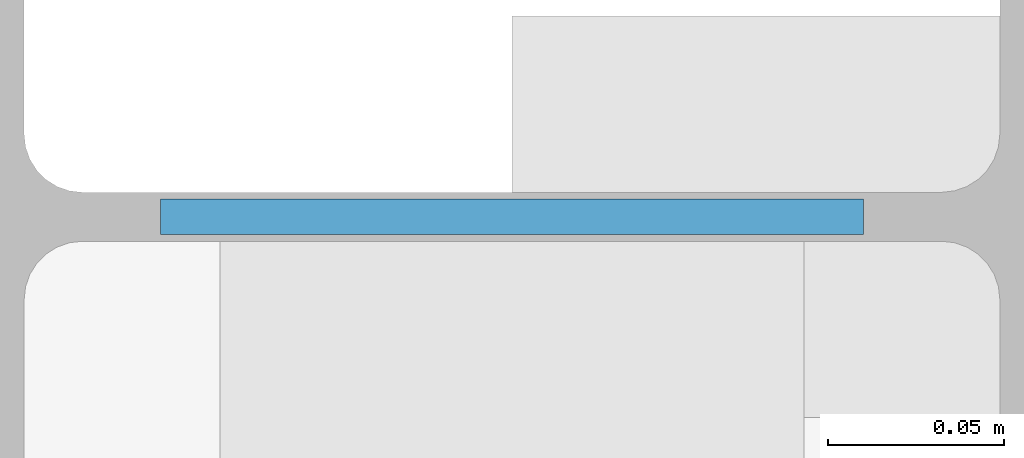
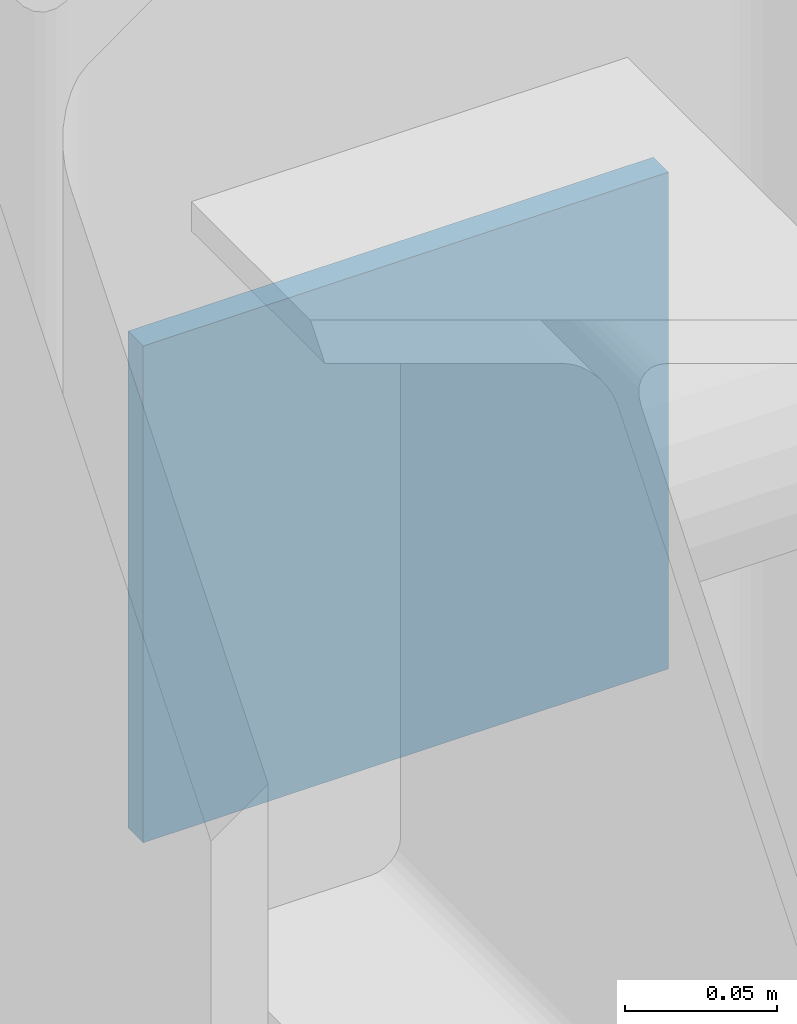
# One storey, part 47 of 59: 1 discrete accessory.
"""IFC4 building model written with IfcOpenShell, lengths in metres."""

from ifc_helpers import new_model, si_unit, direction, frame, origin, origin_2d, place, context, subcontext, project, spatial, rectangle, extrude, material, type_object, element, save


model = new_model("IFC4")

# Units and contexts
model_context = context("Model", 3, precision=1e-05, world=origin(), true_north=direction((0.0, 1.0)))
body_context = subcontext(model_context, "Body", "Model", "MODEL_VIEW")
ifc_project = project(units=[si_unit("LENGTHUNIT", "METRE"), si_unit("AREAUNIT", "SQUARE_METRE"), si_unit("VOLUMEUNIT", "CUBIC_METRE"), si_unit("PLANEANGLEUNIT", "RADIAN"), si_unit("MASSUNIT", "GRAM", prefix="KILO")], contexts=[model_context])

# Site, building, storey
site_placement = place(None, origin())
site = spatial("IfcSite", under=ifc_project, at=site_placement, CompositionType="ELEMENT")
building_placement = place(site_placement, origin())
building = spatial("IfcBuilding", under=site, at=building_placement, Name="Hortulan Conservatory and Botanical Research Centre", CompositionType="ELEMENT")
storey_placement = place(building_placement, frame((0.0, 0.0, 10.5)))
storey = spatial("IfcBuildingStorey", under=building, at=storey_placement, Name="L02", CompositionType="ELEMENT", Elevation=10.5)

# Discrete accessory
ifc_material = material(Name="Steel Grade 300 plate (AS/NZS 3678, 280 MPa minimum yield)", Category="steel")
discrete_accessory_type = type_object("IfcDiscreteAccessoryType", Name="End Plate 200x10", PredefinedType="BRACKET", material=ifc_material)
discrete_accessory_placement = place(storey_placement, frame((90.0, 72.0, 3.39990234375), z_axis=(0.0, 0.0, 1.0), x_axis=(1.0, 0.0, 0.0)))
element("IfcDiscreteAccessory", 1, at=discrete_accessory_placement, inside=storey, type_object=discrete_accessory_type, Name="Strut end plate", PredefinedType="BRACKET", context=body_context, shape_type="SweptSolid", body=[
    extrude(rectangle(XDim=0.199951171875, YDim=0.010009765625, at=origin_2d()), origin(), (0.0, 0.0, 1.0), 0.199951171875),
])

save(model, "model.ifc")
